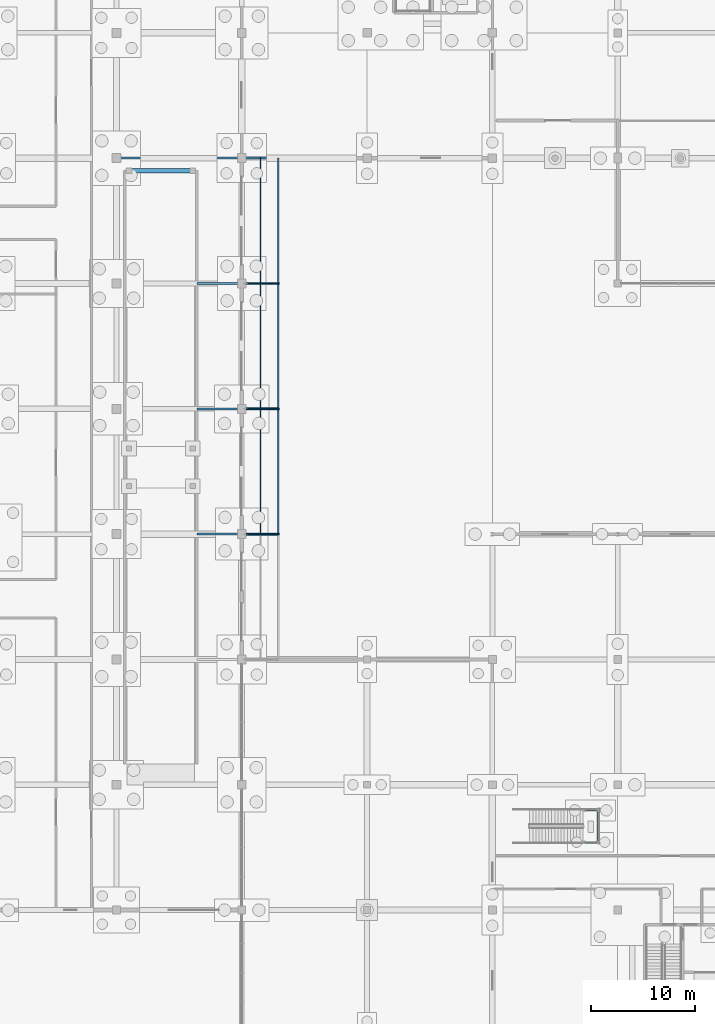
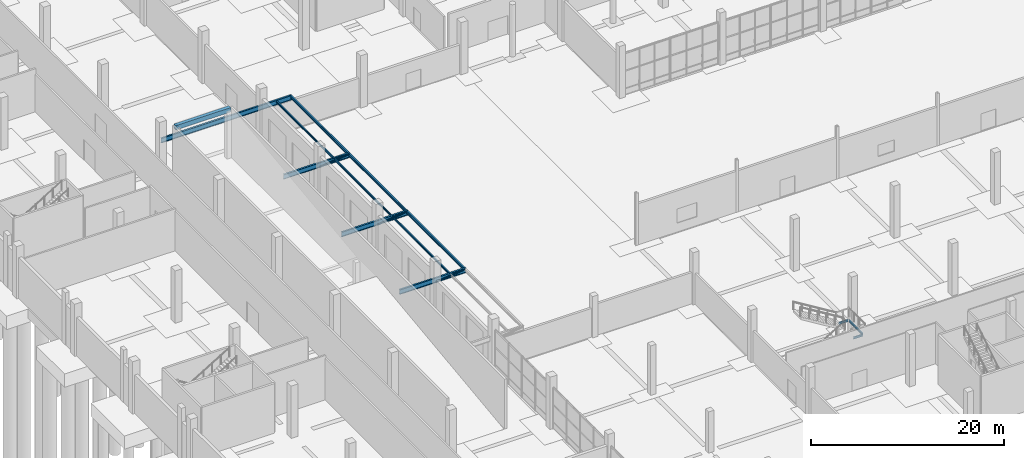
# One storey, part 46 of 117: 11 beams, 6 members.
"""IFC4 building model written with IfcOpenShell, lengths in metres."""

from ifc_helpers import new_model, si_unit, direction, frame, origin, origin_2d, place, context, subcontext, project, spatial, rectangle, hollow_circle, i_section, extrude, material, material_profile, profile_set, type_object, element, save


model = new_model("IFC4")

# Units and contexts
model_context = context("Model", 3, precision=1e-05, world=origin(), true_north=direction((0.0, 1.0)))
body_context = subcontext(model_context, "Body", "Model", "MODEL_VIEW")
ifc_project = project(units=[si_unit("LENGTHUNIT", "METRE"), si_unit("AREAUNIT", "SQUARE_METRE"), si_unit("VOLUMEUNIT", "CUBIC_METRE"), si_unit("PLANEANGLEUNIT", "RADIAN"), si_unit("MASSUNIT", "GRAM", prefix="KILO")], contexts=[model_context])

# Site, building, storey
site_placement = place(None, origin())
site = spatial("IfcSite", under=ifc_project, at=site_placement, CompositionType="ELEMENT")
building_placement = place(site_placement, origin())
building = spatial("IfcBuilding", under=site, at=building_placement, Name="Kamomehara Wholesale Market", CompositionType="ELEMENT")
storey_placement = place(building_placement, origin())
storey = spatial("IfcBuildingStorey", under=building, at=storey_placement, Name="L00", CompositionType="ELEMENT", Elevation=0.0)

# Beams
ifc_material_1 = material(Name="Concrete Fc36 (C35/45)", Category="concrete")
ifc_material_profile_1 = material_profile(ifc_material_1, rectangle(XDim=0.39990234375, YDim=0.550048828125, at=origin_2d()), Name="RC-LNT-400x550")
ifc_profile_set_1 = profile_set([ifc_material_profile_1], Name="Concrete Fc36 (C35/45)")
beam_type_1 = type_object("IfcBeamType", Name="BM-LNT550", PredefinedType="LINTEL", material=ifc_profile_set_1)
beam_1_placement = place(storey_placement, frame((24.949951171875, 106.800048828125, 6.027099609375), z_axis=(1.0, 0.0, 0.0), x_axis=(0.0, 1.0, 0.0)))
element("IfcBeam", 1, at=beam_1_placement, inside=storey, type_object=beam_type_1, Name="Vehicle ramp top header beam", PredefinedType="LINTEL", context=body_context, shape_type="SweptSolid", body=[
    extrude(rectangle(XDim=0.39990234375, YDim=0.550048828125, at=origin_2d()), origin(), (0.0, 0.0, 1.0), 6.60009765625),
])
ifc_material_2 = material(Name="Steel SN400B", Category="steel")
ifc_material_profile_2 = material_profile(ifc_material_2, i_section(OverallWidth=0.125, OverallDepth=0.25, WebThickness=0.006103515625, FlangeThickness=0.009033203125, FilletRadius=0.008056640625, at=origin_2d()), Name="H-250x125x6x9")
ifc_profile_set_2 = profile_set([ifc_material_profile_2], Name="Steel SN400B")
beam_type_2 = type_object("IfcBeamType", Name="BM-ST-H250", PredefinedType="JOIST", material=ifc_profile_set_2)
beam_2_placement = place(storey_placement, frame((70.10009765625, 42.60009765625, 2.97509765625), z_axis=(0.0, 1.0, 0.0), x_axis=(-1.0, 0.0, 0.0)))
element("IfcBeam", 2, at=beam_2_placement, inside=storey, type_object=beam_type_2, Name="Beam SJ-06 L00", PredefinedType="JOIST", context=body_context, shape_type="SweptSolid", body=[
    extrude(i_section(OverallWidth=0.125, OverallDepth=0.25, WebThickness=0.006103515625, FlangeThickness=0.009033203125, FilletRadius=0.008056640625, at=origin_2d()), origin(), (0.0, 0.0, 1.0), 2.849853515625),
])
for number, where, z_axis, x_axis, name in (
    (3, (68.89990234375, 42.5, 2.97509765625), (1.0, 0.0, 0.0), (0.0, 1.0, 0.0), "Beam SJ-06 L00"),
    (4, (68.89990234375, 45.550048828125, 2.97509765625), (1.0, 0.0, 0.0), (0.0, 1.0, 0.0), "Beam SJ-06 L00"),
):
    element("IfcBeam", number, at=place(storey_placement, frame(where, z_axis=z_axis, x_axis=x_axis)), inside=storey, type_object=beam_type_2, Name=name, PredefinedType="JOIST", context=body_context, shape_type="SweptSolid", body=[
        extrude(i_section(OverallWidth=0.125, OverallDepth=0.25, WebThickness=0.006103515625, FlangeThickness=0.009033203125, FilletRadius=0.008056640625, at=origin_2d()), origin(), (0.0, 0.0, 1.0), 1.10009765625),
    ])
ifc_material_3 = material(Name="Steel SN400B", Category="steel")
ifc_material_profile_3 = material_profile(ifc_material_3, i_section(OverallWidth=0.175048828125, OverallDepth=0.35009765625, WebThickness=0.007080078125, FlangeThickness=0.010986328125, FilletRadius=0.012939453125, at=origin_2d()), Name="H-350x175x7x11")
ifc_profile_set_3 = profile_set([ifc_material_profile_3], Name="Steel SN400B")
beam_type_3 = type_object("IfcBeamType", Name="BM-ST-H350-EXT", PredefinedType="JOIST", material=ifc_profile_set_3)
for number, where, z_axis, x_axis, name in (
    (5, (39.5, 72.0, 4.074951171875), (0.0, 1.0, 0.0), (-1.0, 0.0, 0.0), "Beam SJ-04E L00"),
    (6, (39.5, 84.0, 4.074951171875), (0.0, 1.0, 0.0), (-1.0, 0.0, 0.0), "Beam SJ-04E L00"),
    (7, (39.5, 96.0, 4.074951171875), (0.0, 1.0, 0.0), (-1.0, 0.0, 0.0), "Beam SJ-04E L00"),
):
    element("IfcBeam", number, at=place(storey_placement, frame(where, z_axis=z_axis, x_axis=x_axis)), inside=storey, type_object=beam_type_3, Name=name, PredefinedType="JOIST", context=body_context, shape_type="SweptSolid", body=[
        extrude(i_section(OverallWidth=0.175048828125, OverallDepth=0.35009765625, WebThickness=0.007080078125, FlangeThickness=0.010986328125, FilletRadius=0.012939453125, at=origin_2d()), origin(), (0.0, 0.0, 1.0), 12.0),
    ])
ifc_material_4 = material(Name="Steel SN490B", Category="steel")
ifc_material_profile_4 = material_profile(ifc_material_4, i_section(OverallWidth=0.199951171875, OverallDepth=0.60009765625, WebThickness=0.010986328125, FlangeThickness=0.01708984375, FilletRadius=0.012939453125, at=origin_2d()), Name="H-600x200x11x17")
ifc_profile_set_4 = profile_set([ifc_material_profile_4], Name="Steel SN490B")
beam_type_4 = type_object("IfcBeamType", Name="BM-ST-H600-EXT", PredefinedType="BEAM", material=ifc_profile_set_4)
for number, where, z_axis, x_axis, name in (
    (8, (31.699951171875, 72.0, 3.949951171875), (1.0, 0.0, 0.0), (0.0, 1.0, 0.0), "Beam SG-05E L00"),
    (9, (31.699951171875, 84.0, 3.949951171875), (1.0, 0.0, 0.0), (0.0, 1.0, 0.0), "Beam SG-05E L00"),
    (10, (31.699951171875, 96.0, 3.949951171875), (1.0, 0.0, 0.0), (0.0, 1.0, 0.0), "Beam SG-05E L00"),
):
    element("IfcBeam", number, at=place(storey_placement, frame(where, z_axis=z_axis, x_axis=x_axis)), inside=storey, type_object=beam_type_4, Name=name, PredefinedType="BEAM", context=body_context, shape_type="SweptSolid", body=[
        extrude(i_section(OverallWidth=0.199951171875, OverallDepth=0.60009765625, WebThickness=0.010986328125, FlangeThickness=0.01708984375, FilletRadius=0.012939453125, at=origin_2d()), origin(), (0.0, 0.0, 1.0), 7.900146484375),
    ])
beam_3_placement = place(storey_placement, frame((24.0, 108.0, 3.949951171875), z_axis=(1.0, 0.0, 0.0), x_axis=(0.0, 1.0, 0.0)))
element("IfcBeam", 11, at=beam_3_placement, inside=storey, type_object=beam_type_4, Name="Beam SG-05E L00", PredefinedType="BEAM", context=body_context, shape_type="SweptSolid", body=[
    extrude(i_section(OverallWidth=0.199951171875, OverallDepth=0.60009765625, WebThickness=0.010986328125, FlangeThickness=0.01708984375, FilletRadius=0.012939453125, at=origin_2d()), origin(), (0.0, 0.0, 1.0), 15.60009765625),
])

# Members
ifc_material_5 = material(Name="Steel SN490B", Category="steel")
ifc_material_profile_5 = material_profile(ifc_material_5, hollow_circle(Radius=0.108154296875, WallThickness=0.00830078125, at=origin_2d()), Name="CHS-216.3x8.2")
ifc_profile_set_5 = profile_set([ifc_material_profile_5], Name="Steel SN490B")
member_type_1 = type_object("IfcMemberType", Name="MEM-BR-CHS216", PredefinedType="BRACE", material=ifc_profile_set_5)
for number, where, z_axis, x_axis, name in (
    (12, (36.0, 72.0, 3.64990234375), (0.991828773415, 0.0, 0.127576189884), (0.0, 1.0, 0.0), "Dock canopy uplift brace V3 72"),
    (13, (36.0, 84.0, 3.64990234375), (0.991828773415, 0.0, 0.127576189884), (0.0, 1.0, 0.0), "Dock canopy uplift brace V3 84"),
    (14, (36.0, 96.0, 3.64990234375), (0.991828773415, 0.0, 0.127576189884), (0.0, 1.0, 0.0), "Dock canopy uplift brace V3 96"),
):
    element("IfcMember", number, at=place(storey_placement, frame(where, z_axis=z_axis, x_axis=x_axis)), inside=storey, type_object=member_type_1, Name=name, PredefinedType="BRACE", context=body_context, shape_type="SweptSolid", body=[
        extrude(hollow_circle(Radius=0.108154296875, WallThickness=0.00830078125, at=origin_2d()), origin(), (0.0, 0.0, 1.0), 3.52880859375),
    ])
ifc_material_6 = material(Name="Steel SN400B", Category="steel")
ifc_material_profile_6 = material_profile(ifc_material_6, i_section(OverallWidth=0.125, OverallDepth=0.25, WebThickness=0.006103515625, FlangeThickness=0.009033203125, FilletRadius=0.008056640625, at=origin_2d()), Name="H-250x125x6x9")
ifc_profile_set_6 = profile_set([ifc_material_profile_6], Name="Steel SN400B")
member_type_2 = type_object("IfcMemberType", Name="MEM-PR-H250", PredefinedType="PURLIN", material=ifc_profile_set_6)
for number, where, z_axis, x_axis, name in (
    (15, (37.800048828125, 72.0, 4.02001953125), (0.0, 1.0, 0.0), (-1.0, 0.0, 0.0), "Canopy purlin V3 72"),
    (16, (37.800048828125, 84.0, 4.02001953125), (0.0, 1.0, 0.0), (-1.0, 0.0, 0.0), "Canopy purlin V3 84"),
    (17, (37.800048828125, 96.0, 4.02001953125), (0.0, 1.0, 0.0), (-1.0, 0.0, 0.0), "Canopy purlin V3 96"),
):
    element("IfcMember", number, at=place(storey_placement, frame(where, z_axis=z_axis, x_axis=x_axis)), inside=storey, type_object=member_type_2, Name=name, PredefinedType="PURLIN", context=body_context, shape_type="SweptSolid", body=[
        extrude(i_section(OverallWidth=0.125, OverallDepth=0.25, WebThickness=0.006103515625, FlangeThickness=0.009033203125, FilletRadius=0.008056640625, at=origin_2d()), origin(), (0.0, 0.0, 1.0), 12.0),
    ])

save(model, "model.ifc")
